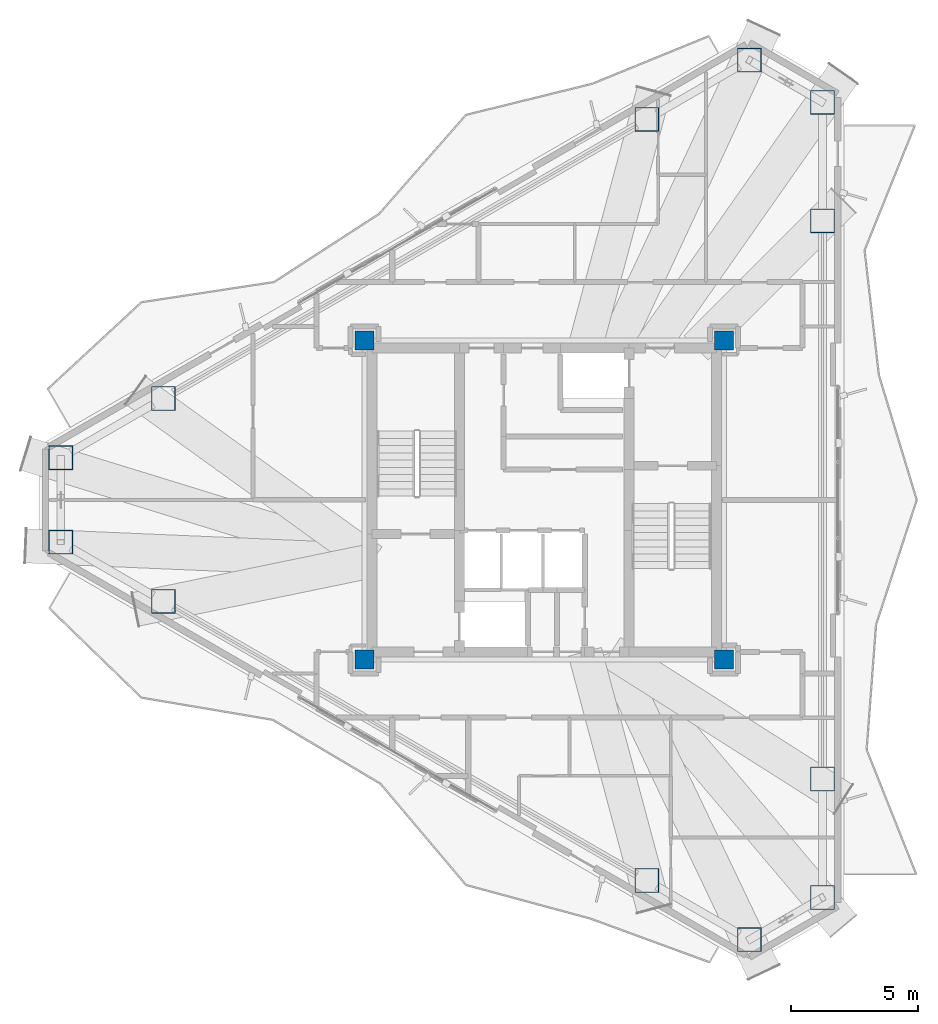
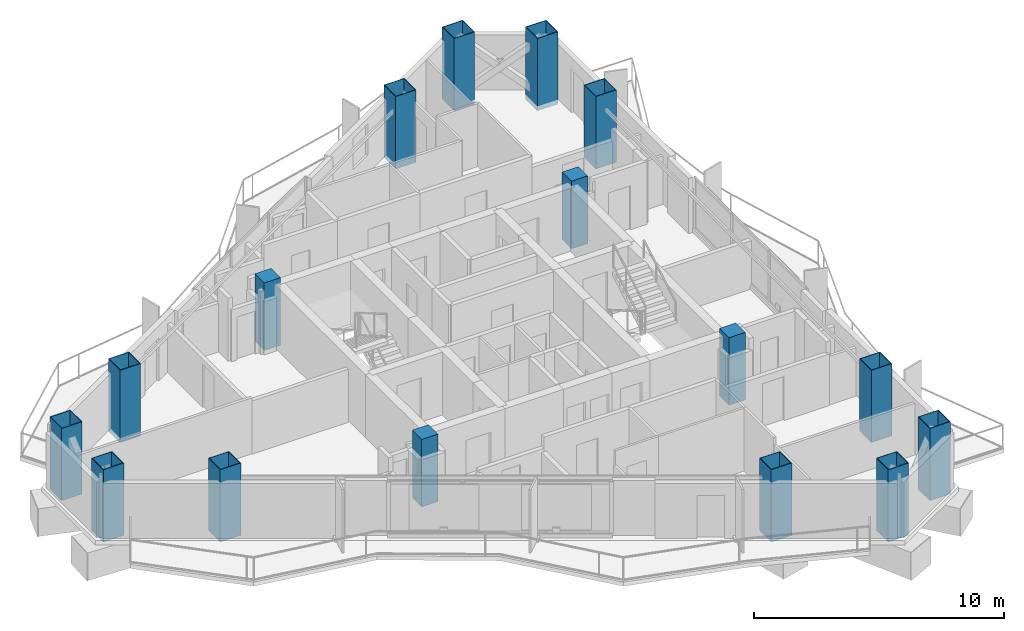
# One storey, part 1 of 19: 16 columns.
"""IFC4 building model written with IfcOpenShell, lengths in metres."""

from ifc_helpers import new_model, si_unit, direction, frame, origin, origin_2d, place, context, subcontext, project, spatial, rectangle, hollow_rectangle, extrude, material, material_profile, profile_set, type_object, element, save


model = new_model("IFC4")

# Units and contexts
model_context = context("Model", 3, precision=1e-05, world=origin(), true_north=direction((0.0, 1.0)))
body_context = subcontext(model_context, "Body", "Model", "MODEL_VIEW")
ifc_project = project(units=[si_unit("LENGTHUNIT", "METRE"), si_unit("AREAUNIT", "SQUARE_METRE"), si_unit("VOLUMEUNIT", "CUBIC_METRE"), si_unit("PLANEANGLEUNIT", "RADIAN"), si_unit("MASSUNIT", "GRAM", prefix="KILO")], contexts=[model_context])

# Site, building, storey
site_placement = place(None, origin())
site = spatial("IfcSite", under=ifc_project, at=site_placement, CompositionType="ELEMENT")
building_placement = place(site_placement, origin())
building = spatial("IfcBuilding", under=site, at=building_placement, Name="Mersakhor Tower and Convention Hall", CompositionType="ELEMENT")
storey_placement = place(building_placement, frame((0.0, 0.0, 175.5)))
storey = spatial("IfcBuildingStorey", under=building, at=storey_placement, Name="L48", CompositionType="ELEMENT", Elevation=175.5)

# Columns
ifc_material_1 = material(Name="Concrete C60/75 in S460M steel box", Category="concrete")
ifc_material_profile_1 = material_profile(ifc_material_1, hollow_rectangle(XDim=0.949951171875, YDim=0.949951171875, WallThickness=0.028076171875, at=origin_2d()), Name="SHS 950x950x28")
ifc_profile_set_1 = profile_set([ifc_material_profile_1], Name="Concrete C60/75 in S460M steel box")
column_type_1 = type_object("IfcColumnType", Name="COL-CFT-950", PredefinedType="COLUMN", material=ifc_profile_set_1)
for number, where, z_axis, x_axis, name in (
    (1, (9.907470703125, 28.415283203125, -0.22998046875), (0.0, 0.0, 1.0), (1.0, 0.0, 0.0), "L48 Perimeter Mega-Column MC-01"),
    (2, (13.959716796875, 30.7548828125, -0.22998046875), (0.0, 0.0, 1.0), (1.0, 0.0, 0.0), "L48 Perimeter Mega-Column MC-02"),
    (3, (33.0517578125, 41.777587890625, -0.22998046875), (0.0, 0.0, 1.0), (1.0, 0.0, 0.0), "L48 Perimeter Mega-Column MC-03"),
    (4, (37.10400390625, 44.1171875, -0.22998046875), (0.0, 0.0, 1.0), (1.0, 0.0, 0.0), "L48 Perimeter Mega-Column MC-04"),
    (5, (39.98828125, 42.451904296875, -0.22998046875), (0.0, 0.0, 1.0), (1.0, 0.0, 0.0), "L48 Perimeter Mega-Column MC-05"),
    (6, (39.98828125, 37.772705078125, -0.22998046875), (0.0, 0.0, 1.0), (1.0, 0.0, 0.0), "L48 Perimeter Mega-Column MC-06"),
    (7, (39.98828125, 15.727294921875, -0.22998046875), (0.0, 0.0, 1.0), (1.0, 0.0, 0.0), "L48 Perimeter Mega-Column MC-07"),
    (8, (39.98828125, 11.048095703125, -0.22998046875), (0.0, 0.0, 1.0), (1.0, 0.0, 0.0), "L48 Perimeter Mega-Column MC-08"),
    (9, (37.10400390625, 9.3828125, -0.22998046875), (0.0, 0.0, 1.0), (1.0, 0.0, 0.0), "L48 Perimeter Mega-Column MC-09"),
    (10, (33.0517578125, 11.722412109375, -0.22998046875), (0.0, 0.0, 1.0), (1.0, 0.0, 0.0), "L48 Perimeter Mega-Column MC-10"),
    (11, (13.959716796875, 22.7451171875, -0.22998046875), (0.0, 0.0, 1.0), (1.0, 0.0, 0.0), "L48 Perimeter Mega-Column MC-11"),
    (12, (9.907470703125, 25.084716796875, -0.22998046875), (0.0, 0.0, 1.0), (1.0, 0.0, 0.0), "L48 Perimeter Mega-Column MC-12"),
):
    element("IfcColumn", number, at=place(storey_placement, frame(where, z_axis=z_axis, x_axis=x_axis)), inside=storey, type_object=column_type_1, Name=name, PredefinedType="COLUMN", context=body_context, shape_type="SweptSolid", body=[
        extrude(hollow_rectangle(XDim=0.949951171875, YDim=0.949951171875, WallThickness=0.028076171875, at=origin_2d()), origin(), (0.0, 0.0, 1.0), 3.530029296875),
    ])
ifc_material_2 = material(Name="Concrete C50/60", Category="concrete")
ifc_material_profile_2 = material_profile(ifc_material_2, rectangle(XDim=0.75, YDim=0.75, at=origin_2d()), Name="RC 750x750")
ifc_profile_set_2 = profile_set([ifc_material_profile_2], Name="Concrete C50/60")
column_type_2 = type_object("IfcColumnType", Name="COL-RC-750", PredefinedType="COLUMN", material=ifc_profile_set_2)
for number, where, z_axis, x_axis, name in (
    (13, (21.89990234375, 20.449951171875, 0.0), (0.0, 0.0, 1.0), (1.0, 0.0, 0.0), "L48 Core Corner Column CC-1"),
    (14, (21.89990234375, 33.050048828125, 0.0), (0.0, 0.0, 1.0), (1.0, 0.0, 0.0), "L48 Core Corner Column CC-2"),
    (15, (36.10009765625, 33.050048828125, 0.0), (0.0, 0.0, 1.0), (1.0, 0.0, 0.0), "L48 Core Corner Column CC-3"),
    (16, (36.10009765625, 20.449951171875, 0.0), (0.0, 0.0, 1.0), (1.0, 0.0, 0.0), "L48 Core Corner Column CC-4"),
):
    element("IfcColumn", number, at=place(storey_placement, frame(where, z_axis=z_axis, x_axis=x_axis)), inside=storey, type_object=column_type_2, Name=name, PredefinedType="COLUMN", context=body_context, shape_type="SweptSolid", body=[
        extrude(rectangle(XDim=0.75, YDim=0.75, at=origin_2d()), origin(), (0.0, 0.0, 1.0), 3.300048828125),
    ])

save(model, "model.ifc")
